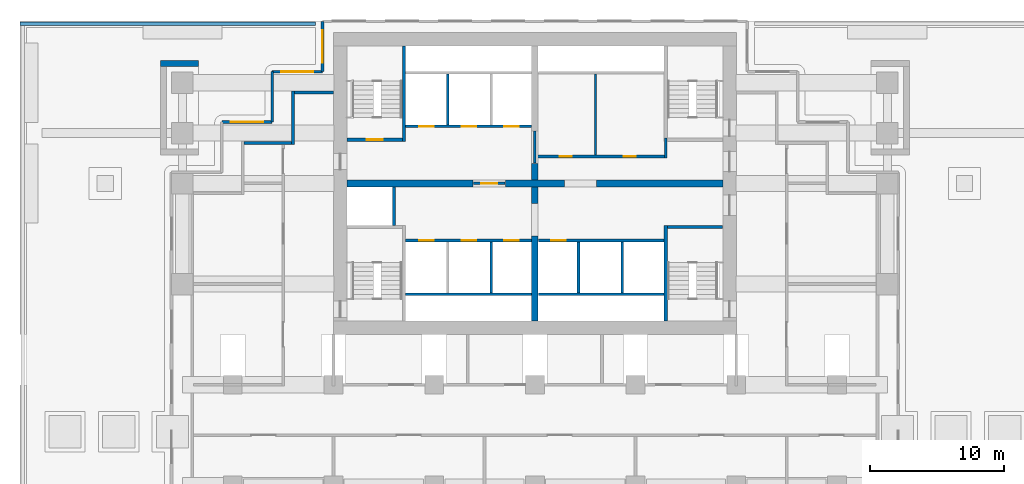
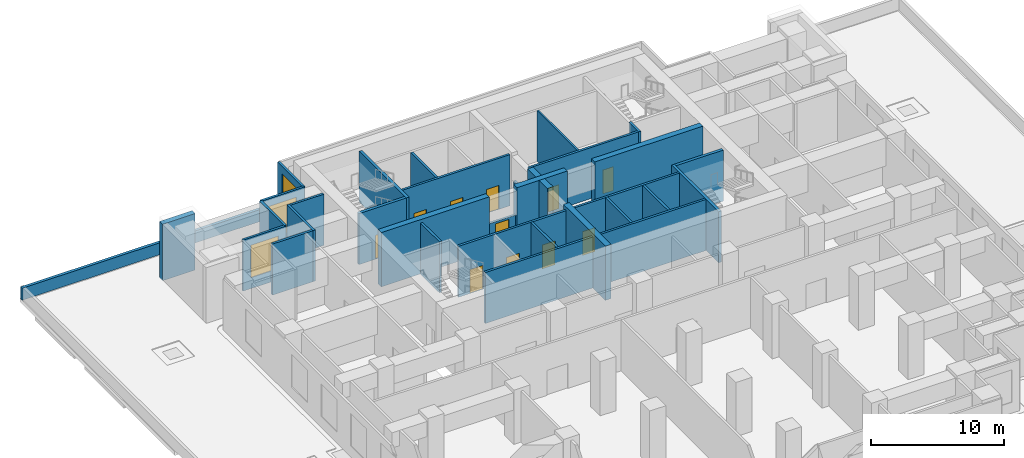
# One storey, part 4 of 9: 34 walls, 11 doors, 3 windows, 14 openings.
"""IFC4 building model written with IfcOpenShell, lengths in metres."""

import ifcopenshell
import ifcopenshell.guid

model = None  # the IFC model being written
_history = None  # IfcOwnerHistory: only IFC2X3 demands one
_inside = {}  # id of a spatial element -> (the spatial element, [elements in it])
_under = {}  # id of a project, library or spatial element -> (it, [spatial elements below it])
_declared = {}  # id of a project -> (the project, [libraries it declares])
_typed = {}  # id of a type object -> (the type object, [elements of that type])
_made_of = {}  # id of a material, layer set ... -> (it, [elements and type objects made of it])


def new_model(schema):
    """Start an empty IFC model of exactly this schema.

    Asked for "IFC4X3", IfcOpenShell would pick the latest addendum, in which some entities
    have other attributes; the version numbers below select the first issue.
    IFC2X3 requires an IfcOwnerHistory on every rooted entity: one is made here for all.
    """
    global model, _history
    if schema == "IFC4X3":
        model = ifcopenshell.file(schema_version=(4, 3, 0, 0))
    else:
        model = ifcopenshell.file(schema=schema)
    _inside.clear()
    _under.clear()
    _declared.clear()
    _typed.clear()
    _made_of.clear()
    _history = None
    if model.schema == "IFC2X3":
        org = make("IfcOrganization", Name="unknown")
        user = make(
            "IfcPersonAndOrganization",
            ThePerson=make("IfcPerson", FamilyName="unknown"),
            TheOrganization=org,
        )
        app = make(
            "IfcApplication",
            ApplicationDeveloper=org,
            Version="unknown",
            ApplicationFullName="unknown",
            ApplicationIdentifier="unknown",
        )
        _history = make(
            "IfcOwnerHistory",
            OwningUser=user,
            OwningApplication=app,
            ChangeAction="ADDED",
            CreationDate=0,
        )
    return model


def make(cls, **values):
    """One entity of the class cls with the attributes given. An attribute that is None is left unset."""
    return model.create_entity(
        cls, **{name: value for name, value in values.items() if value is not None}
    )


def rooted(cls, **values):
    """An entity with a GlobalId (a new one), such as an element, a storey or a relation."""
    return make(cls, GlobalId=ifcopenshell.guid.new(), OwnerHistory=_history, **values)


def si_unit(unit_type, name, prefix=None):
    """IfcSIUnit, for example si_unit("LENGTHUNIT", "METRE", prefix="MILLI")."""
    return make("IfcSIUnit", UnitType=unit_type, Prefix=prefix, Name=name)


def assignment(units):
    """IfcUnitAssignment: the units of a project."""
    return None if units is None else make("IfcUnitAssignment", Units=units)


def point(xyz):
    """IfcCartesianPoint."""
    return None if xyz is None else make("IfcCartesianPoint", Coordinates=xyz)


def direction(xyz):
    """IfcDirection."""
    return None if xyz is None else make("IfcDirection", DirectionRatios=xyz)


def frame(location, z_axis=None, x_axis=None):
    """IfcAxis2Placement3D, a coordinate frame: its origin and axes. An axis left out is left unset."""
    return make(
        "IfcAxis2Placement3D",
        Location=point(location),
        Axis=direction(z_axis),
        RefDirection=direction(x_axis),
    )


def frame_2d(location, x_axis=None):
    """IfcAxis2Placement2D, a coordinate frame in the plane: its origin and x axis."""
    return make(
        "IfcAxis2Placement2D", Location=point(location), RefDirection=direction(x_axis)
    )


def origin():
    """The frame at (0, 0, 0) with its axes left unset."""
    return frame((0.0, 0.0, 0.0))


def place(relative_to, where):
    """IfcLocalPlacement: puts the frame where relative to a parent placement (None: the world)."""
    return make(
        "IfcLocalPlacement", PlacementRelTo=relative_to, RelativePlacement=where
    )


def context(
    kind, dimensions, precision=None, world=None, true_north=None, identifier=None
):
    """IfcGeometricRepresentationContext, for example the 3D "Model" context."""
    return make(
        "IfcGeometricRepresentationContext",
        ContextIdentifier=identifier,
        ContextType=kind,
        CoordinateSpaceDimension=dimensions,
        Precision=precision,
        WorldCoordinateSystem=world,
        TrueNorth=true_north,
    )


def subcontext(parent, identifier, kind, view, scale=None):
    """IfcGeometricRepresentationSubContext, for example "Body" below "Model"."""
    return make(
        "IfcGeometricRepresentationSubContext",
        ContextIdentifier=identifier,
        ContextType=kind,
        ParentContext=parent,
        TargetScale=scale,
        TargetView=view,
    )


def project(units=None, contexts=None):
    """IfcProject with its units and contexts."""
    return rooted(
        "IfcProject",
        Name="project",
        RepresentationContexts=contexts,
        UnitsInContext=assignment(units),
    )


def spatial(cls, under=None, at=None, **own):
    """A site, building, storey or space (cls), placed at a placement, below another one or the project."""
    s = rooted(cls, ObjectPlacement=at, **own)
    if under is not None:
        _under.setdefault(under.id(), (under, []))[1].append(s)
    return s


def profile(cls, at=None, kind="AREA", **sizes):
    """A parametric profile (cls). Its sizes go by their IFC names, for example OverallWidth=200.0."""
    return make(cls, ProfileType=kind, Position=at, **sizes)


def rectangle(**sizes):
    """IfcRectangleProfileDef."""
    return profile("IfcRectangleProfileDef", **sizes)


def extrude(swept, where, along, depth):
    """IfcExtrudedAreaSolid: the profile swept, set in the frame where, extruded along a direction by depth."""
    return make(
        "IfcExtrudedAreaSolid",
        SweptArea=swept,
        Position=where,
        ExtrudedDirection=direction(along),
        Depth=depth,
    )


def shape(context_of_items, identifier, shape_type, items):
    """IfcShapeRepresentation: the items that make up one representation, for example the "Body"."""
    return make(
        "IfcShapeRepresentation",
        ContextOfItems=context_of_items,
        RepresentationIdentifier=identifier,
        RepresentationType=shape_type,
        Items=items,
    )


def material(Name=None, Category=None):
    """IfcMaterial."""
    return make("IfcMaterial", Name=Name, Category=Category)


def layer(
    of_material, thickness, ventilated=None, Name=None, Category=None, Priority=None
):
    """IfcMaterialLayer: one layer of a wall or slab, of a material (None: an air gap)."""
    return make(
        "IfcMaterialLayer",
        Material=of_material,
        LayerThickness=thickness,
        IsVentilated=ventilated,
        Name=Name,
        Category=Category,
        Priority=Priority,
    )


def layer_set(layers, Name=None):
    """IfcMaterialLayerSet."""
    return make("IfcMaterialLayerSet", MaterialLayers=layers, LayerSetName=Name)


def made_of(thing, what):
    """Note that an element or type object is made of a material, layer set ...; save() writes the relation."""
    if what is not None:
        _made_of.setdefault(what.id(), (what, []))[1].append(thing)
    return thing


def type_object(cls, material=None, **own):
    """A type object (cls), such as IfcWallType, which elements share."""
    return made_of(rooted(cls, **own), material)


def element(
    cls,
    number,
    at=None,
    inside=None,
    cuts=None,
    type_object=None,
    material=None,
    context=None,
    identifier="Body",
    shape_type=None,
    held_by="IfcProductDefinitionShape",
    body=None,
    shapes=None,
    **own,
):
    """One element of the class cls, such as IfcWall. Its Tag is "e" and its number.

    at: its placement. inside: the storey or other place that contains it. cuts: it is an
    opening in that element (IfcRelVoidsElement). A single representation is given by context,
    identifier, shape_type and body (its items); several are given by shapes. held_by: the class
    of the entity that holds the representations. save() writes the other relations.
    """
    e = rooted(cls, Tag="e%d" % number, ObjectPlacement=at, **own)
    if body is not None:
        shapes = [shape(context, identifier, shape_type, body)]
    if shapes is not None:
        e.Representation = make(held_by, Representations=shapes)
    if inside is not None:
        _inside.setdefault(inside.id(), (inside, []))[1].append(e)
    if cuts is not None:
        rooted(
            "IfcRelVoidsElement", RelatingBuildingElement=cuts, RelatedOpeningElement=e
        )
    if type_object is not None:
        _typed.setdefault(type_object.id(), (type_object, []))[1].append(e)
    return made_of(e, material)


def fill(opening, filler):
    """IfcRelFillsElement: the door or window that sits in an opening."""
    return rooted(
        "IfcRelFillsElement",
        RelatingOpeningElement=opening,
        RelatedBuildingElement=filler,
    )


def aggregate(whole, parts):
    """IfcRelAggregates: a whole, such as a stair, and the parts it consists of."""
    return rooted("IfcRelAggregates", RelatingObject=whole, RelatedObjects=parts)


def save(model, path):
    """Write the relations noted so far, then the file.

    IfcRelAggregates (storeys below a building ...), IfcRelContainedInSpatialStructure (elements
    in a storey), IfcRelDefinesByType, IfcRelAssociatesMaterial and IfcRelDeclares: one each for
    every whole, place, type object, material and project.
    """
    for whole, parts in _under.values():
        aggregate(whole, parts)
    for where, things in _inside.values():
        rooted(
            "IfcRelContainedInSpatialStructure",
            RelatedElements=things,
            RelatingStructure=where,
        )
    for kind, things in _typed.values():
        rooted("IfcRelDefinesByType", RelatedObjects=things, RelatingType=kind)
    for what, things in _made_of.values():
        rooted("IfcRelAssociatesMaterial", RelatedObjects=things, RelatingMaterial=what)
    for by, libraries in _declared.values():
        rooted("IfcRelDeclares", RelatingContext=by, RelatedDefinitions=libraries)
    model.write(path)


model = new_model("IFC4")

# Units and contexts
model_context = context("Model", 3, precision=1e-05, world=origin(), true_north=direction((0.0, 1.0)))
body_context = subcontext(model_context, "Body", "Model", "MODEL_VIEW")
ifc_project = project(units=[si_unit("LENGTHUNIT", "METRE"), si_unit("AREAUNIT", "SQUARE_METRE"), si_unit("VOLUMEUNIT", "CUBIC_METRE"), si_unit("PLANEANGLEUNIT", "RADIAN"), si_unit("MASSUNIT", "GRAM", prefix="KILO")], contexts=[model_context])

# Site, building, storey
site_placement = place(None, origin())
site = spatial("IfcSite", under=ifc_project, at=site_placement, CompositionType="ELEMENT")
building_placement = place(site_placement, origin())
building = spatial("IfcBuilding", under=site, at=building_placement, Name="Pilkhan Gate Tower", CompositionType="ELEMENT")
storey_placement = place(building_placement, frame((0.0, 0.0, 30.0)))
storey = spatial("IfcBuildingStorey", under=building, at=storey_placement, Name="L04", CompositionType="ELEMENT", Elevation=30.0)

# Wall, opening, door
ifc_material_1 = material(Name="Dense blockwork", Category="masonry")
ifc_layer_1 = layer(ifc_material_1, 0.199951171875)
ifc_layer_set_1 = layer_set([ifc_layer_1], Name="Lobby wall LW200")
wall_type_1 = type_object("IfcWallType", Name="Lobby wall LW200", PredefinedType="PARTITIONING", material=ifc_layer_set_1)
wall_1_placement = place(storey_placement, frame((70.409912109375, 82.5, 0.0), z_axis=(0.0, 0.0, 1.0), x_axis=(1.0, 0.0, 0.0)))
wall_1 = element("IfcWall", 1, at=wall_1_placement, inside=storey, type_object=wall_type_1, Name="Partition L04", PredefinedType="PARTITIONING", context=body_context, shape_type="SweptSolid", body=[
    extrude(rectangle(XDim=2.380126953125, YDim=0.199951171875, at=frame_2d((1.18994140625, 0.0))), origin(), (0.0, 0.0, 1.0), 2.39990234375),
])
opening_1_placement = place(wall_1_placement, frame((0.60009765625, 0.0, 0.0)))
opening_1 = element("IfcOpeningElement", 2, at=opening_1_placement, cuts=wall_1, Name="Opening L04-01", PredefinedType="OPENING", context=body_context, shape_type="SweptSolid", body=[
    extrude(rectangle(XDim=1.199951171875, YDim=2.199951171875, at=frame_2d((0.60009765625, 1.10009765625))), frame((0.0, 0.10986328125, 0.0), z_axis=(0.0, -1.0, 0.0), x_axis=(1.0, 0.0, 0.0)), (0.0, 0.0, 1.0), 0.219970703125),
])
ifc_material_2 = material(Name="Steel door, 120 minute fire resisting, self-closing", Category="steel")
door_type_1 = type_object("IfcDoorType", Name="Firefighting lobby door D10 1200x2200", OperationType="SINGLE_SWING_LEFT", PredefinedType="DOOR", material=ifc_material_2)
door_1_placement = place(opening_1_placement, origin())
door_1 = element("IfcDoor", 3, at=door_1_placement, inside=storey, type_object=door_type_1, Name="Firefighting lobby door", OperationType="SINGLE_SWING_RIGHT", OverallHeight=2.199951171875, OverallWidth=1.199951171875, PredefinedType="DOOR", context=body_context, shape_type="SweptSolid", body=[
    extrude(rectangle(XDim=1.199951171875, YDim=2.199951171875, at=frame_2d((0.60009765625, 1.10009765625))), frame((0.0, 0.02490234375, 0.0), z_axis=(0.0, -1.0, 0.0), x_axis=(1.0, 0.0, 0.0)), (0.0, 0.0, 1.0), 0.050048828125),
])
fill(opening_1, door_1)

# Wall, openings, doors
wall_2_placement = place(storey_placement, frame((75.10009765625, 84.5, 0.0), z_axis=(0.0, 0.0, 1.0), x_axis=(1.0, 0.0, 0.0)))
wall_2 = element("IfcWall", 4, at=wall_2_placement, inside=storey, type_object=wall_type_1, Name="Partition L04", PredefinedType="PARTITIONING", context=body_context, shape_type="SweptSolid", body=[
    extrude(rectangle(XDim=9.5498046875, YDim=0.199951171875, at=frame_2d((4.77490234375, 0.0))), origin(), (0.0, 0.0, 1.0), 4.699951171875),
])
opening_2_placement = place(wall_2_placement, frame((1.75, 0.0, 0.0)))
opening_2 = element("IfcOpeningElement", 5, at=opening_2_placement, cuts=wall_2, Name="Opening L04-12", PredefinedType="OPENING", context=body_context, shape_type="SweptSolid", body=[
    extrude(rectangle(XDim=0.89990234375, YDim=2.199951171875, at=frame_2d((0.449951171875, 1.10009765625))), frame((0.0, 0.10986328125, 0.0), z_axis=(0.0, -1.0, 0.0), x_axis=(1.0, 0.0, 0.0)), (0.0, 0.0, 1.0), 0.219970703125),
])
opening_3_placement = place(wall_2_placement, frame((6.5, 0.0, 0.0)))
opening_3 = element("IfcOpeningElement", 6, at=opening_3_placement, cuts=wall_2, Name="Opening L04-13", PredefinedType="OPENING", context=body_context, shape_type="SweptSolid", body=[
    extrude(rectangle(XDim=0.89990234375, YDim=2.199951171875, at=frame_2d((0.449951171875, 1.10009765625))), frame((0.0, 0.10986328125, 0.0), z_axis=(0.0, -1.0, 0.0), x_axis=(1.0, 0.0, 0.0)), (0.0, 0.0, 1.0), 0.219970703125),
])
ifc_material_3 = material(Name="Timber flush door, 60 minute fire resisting, self-closing", Category="wood")
door_type_2 = type_object("IfcDoorType", Name="Store door D05 900x2200", OperationType="SINGLE_SWING_LEFT", PredefinedType="DOOR", material=ifc_material_3)
door_2_placement = place(opening_2_placement, origin())
door_2 = element("IfcDoor", 7, at=door_2_placement, inside=storey, type_object=door_type_2, Name="Store door", OperationType="SINGLE_SWING_LEFT", OverallHeight=2.199951171875, OverallWidth=0.89990234375, PredefinedType="DOOR", context=body_context, shape_type="SweptSolid", body=[
    extrude(rectangle(XDim=0.89990234375, YDim=2.199951171875, at=frame_2d((0.449951171875, 1.10009765625))), frame((0.0, 0.02490234375, 0.0), z_axis=(0.0, -1.0, 0.0), x_axis=(1.0, 0.0, 0.0)), (0.0, 0.0, 1.0), 0.050048828125),
])
fill(opening_2, door_2)
door_3_placement = place(opening_3_placement, origin())
door_3 = element("IfcDoor", 8, at=door_3_placement, inside=storey, type_object=door_type_2, Name="Store door", OperationType="SINGLE_SWING_LEFT", OverallHeight=2.199951171875, OverallWidth=0.89990234375, PredefinedType="DOOR", context=body_context, shape_type="SweptSolid", body=[
    extrude(rectangle(XDim=0.89990234375, YDim=2.199951171875, at=frame_2d((0.449951171875, 1.10009765625))), frame((0.0, 0.02490234375, 0.0), z_axis=(0.0, -1.0, 0.0), x_axis=(1.0, 0.0, 0.0)), (0.0, 0.0, 1.0), 0.050048828125),
])
fill(opening_3, door_3)

# Walls
wall_3_placement = place(storey_placement, frame((53.3349609375, 85.514892578125, 0.0), z_axis=(0.0, 0.0, 1.0), x_axis=(1.0, 0.0, 0.0)))
element("IfcWall", 9, at=wall_3_placement, inside=storey, type_object=wall_type_1, Name="Partition L04", PredefinedType="PARTITIONING", context=body_context, shape_type="SweptSolid", body=[
    extrude(rectangle(XDim=3.550048828125, YDim=0.199951171875, at=frame_2d((1.77490234375, 0.0))), origin(), (0.0, 0.0, 1.0), 4.699951171875),
])
wall_4_placement = place(storey_placement, frame((57.0849609375, 89.264892578125, 0.0), z_axis=(0.0, 0.0, 1.0), x_axis=(1.0, 0.0, 0.0)))
element("IfcWall", 10, at=wall_4_placement, inside=storey, type_object=wall_type_1, Name="Partition L04", PredefinedType="PARTITIONING", context=body_context, shape_type="SweptSolid", body=[
    extrude(rectangle(XDim=2.905029296875, YDim=0.199951171875, at=frame_2d((1.45263671875, 0.0))), origin(), (0.0, 0.0, 1.0), 4.699951171875),
])
wall_5_placement = place(storey_placement, frame((56.985107421875, 85.4150390625, 0.0), z_axis=(0.0, 0.0, 1.0), x_axis=(0.0, 1.0, 0.0)))
element("IfcWall", 11, at=wall_5_placement, inside=storey, type_object=wall_type_1, Name="Partition L04", PredefinedType="PARTITIONING", context=body_context, shape_type="SweptSolid", body=[
    extrude(rectangle(XDim=3.949951171875, YDim=0.199951171875, at=frame_2d((1.97509765625, 0.0))), origin(), (0.0, 0.0, 1.0), 4.699951171875),
])
wall_6_placement = place(storey_placement, frame((75.0, 84.010009765625, 0.0), z_axis=(0.0, 0.0, 1.0), x_axis=(0.0, 1.0, 0.0)))
element("IfcWall", 12, at=wall_6_placement, inside=storey, type_object=wall_type_1, Name="Partition L04", PredefinedType="PARTITIONING", context=body_context, shape_type="SweptSolid", body=[
    extrude(rectangle(XDim=2.3798828125, YDim=0.199951171875, at=frame_2d((1.18994140625, 0.0))), origin(), (0.0, 0.0, 1.0), 2.39990234375),
])
wall_7_placement = place(storey_placement, frame((84.75, 84.39990234375, 0.0), z_axis=(0.0, 0.0, 1.0), x_axis=(0.0, 1.0, 0.0)))
element("IfcWall", 13, at=wall_7_placement, inside=storey, type_object=wall_type_1, Name="Partition L04", PredefinedType="PARTITIONING", context=body_context, shape_type="SweptSolid", body=[
    extrude(rectangle(XDim=1.47509765625, YDim=0.199951171875, at=frame_2d((0.737548828125, 0.0))), origin(), (0.0, 0.0, 1.0), 4.699951171875),
])
ifc_material_4 = material(Name="Concrete C40/50", Category="concrete")
ifc_layer_2 = layer(ifc_material_4, 0.25)
ifc_layer_set_2 = layer_set([ifc_layer_2], Name="Parapet wall PA250")
wall_type_2 = type_object("IfcWallType", Name="Parapet wall PA250", PredefinedType="USERDEFINED", material=ifc_layer_set_2)
wall_8_placement = place(storey_placement, frame((36.64990234375, 94.39990234375, 0.0), z_axis=(0.0, 0.0, 1.0), x_axis=(1.0, 0.0, 0.0)))
element("IfcWall", 14, at=wall_8_placement, inside=storey, type_object=wall_type_2, Name="Podium roof parapet", ObjectType="PARAPET WALL", PredefinedType="USERDEFINED", context=body_context, shape_type="SweptSolid", body=[
    extrude(rectangle(XDim=22.009033203125, YDim=0.25, at=frame_2d((11.00439453125, 0.0))), origin(), (0.0, 0.0, 1.0), 1.10009765625),
])
ifc_material_5 = material(Name="Blockwork partition, plastered both sides", Category="masonry")
ifc_layer_3 = layer(ifc_material_5, 0.14990234375)
ifc_layer_set_3 = layer_set([ifc_layer_3], Name="Partition PW150")
wall_type_3 = type_object("IfcWallType", Name="Partition PW150", PredefinedType="PARTITIONING", material=ifc_layer_set_3)
wall_9_placement = place(storey_placement, frame((79.5, 84.60009765625, 0.0), z_axis=(0.0, 0.0, 1.0), x_axis=(0.0, 1.0, 0.0)))
element("IfcWall", 15, at=wall_9_placement, inside=storey, type_object=wall_type_3, Name="Partition L04", PredefinedType="PARTITIONING", context=body_context, shape_type="SweptSolid", body=[
    extrude(rectangle(XDim=6.0498046875, YDim=0.14990234375, at=frame_2d((3.02490234375, 0.0))), origin(), (0.0, 0.0, 1.0), 4.699951171875),
])

# Wall, opening, window
ifc_material_6 = material(Name="Pale anodised aluminium cladding", Category="aluminium")
ifc_layer_4 = layer(ifc_material_6, 0.199951171875)
ifc_layer_set_4 = layer_set([ifc_layer_4], Name="Plant screen wall PS200")
wall_type_4 = type_object("IfcWallType", Name="Plant screen wall PS200", PredefinedType="SOLIDWALL", material=ifc_layer_set_4)
wall_10_placement = place(storey_placement, frame((59.179931640625, 90.820068359375, 0.0), z_axis=(0.0, 0.0, 1.0), x_axis=(0.0, 1.0, 0.0)))
wall_10 = element("IfcWall", 16, at=wall_10_placement, inside=storey, type_object=wall_type_4, Name="Plant screen wall L04 W", PredefinedType="SOLIDWALL", context=body_context, shape_type="SweptSolid", body=[
    extrude(rectangle(XDim=3.75, YDim=0.199951171875, at=frame_2d((1.875, 0.0))), origin(), (0.0, 0.0, 1.0), 4.699951171875),
])
opening_4_placement = place(wall_10_placement, frame((0.675048828125, 0.0, 1.0)))
opening_4 = element("IfcOpeningElement", 17, at=opening_4_placement, cuts=wall_10, Name="Opening WL1", PredefinedType="OPENING", context=body_context, shape_type="SweptSolid", body=[
    extrude(rectangle(XDim=2.39990234375, YDim=3.0, at=frame_2d((1.199951171875, 1.5))), frame((0.0, 0.10986328125, 0.0), z_axis=(0.0, -1.0, 0.0), x_axis=(1.0, 0.0, 0.0)), (0.0, 0.0, 1.0), 0.219970703125),
])
ifc_material_7 = material(Name="Pale anodised aluminium storm louvre, bird mesh", Category="aluminium")
window_type = type_object("IfcWindowType", Name="Plant louvre WL1 2400x3000", PartitioningType="SINGLE_PANEL", PredefinedType="USERDEFINED", material=ifc_material_7)
window_1_placement = place(opening_4_placement, origin())
window_1 = element("IfcWindow", 18, at=window_1_placement, inside=storey, type_object=window_type, Name="Louvre L04", ObjectType="LOUVRE", OverallHeight=3.0, OverallWidth=2.39990234375, PartitioningType="SINGLE_PANEL", PredefinedType="USERDEFINED", context=body_context, shape_type="SweptSolid", body=[
    extrude(rectangle(XDim=2.39990234375, YDim=3.0, at=frame_2d((1.199951171875, 1.5))), frame((0.0, 0.030029296875, 0.0), z_axis=(0.0, -1.0, 0.0), x_axis=(1.0, 0.0, 0.0)), (0.0, 0.0, 1.0), 0.06005859375),
])
fill(opening_4, window_1)

wall_11_placement = place(storey_placement, frame((55.429931640625, 90.820068359375, 0.0), z_axis=(0.0, 0.0, 1.0), x_axis=(1.0, 0.0, 0.0)))
wall_11 = element("IfcWall", 19, at=wall_11_placement, inside=storey, type_object=wall_type_4, Name="Plant screen wall L04 N", PredefinedType="SOLIDWALL", context=body_context, shape_type="SweptSolid", body=[
    extrude(rectangle(XDim=3.75, YDim=0.199951171875, at=frame_2d((1.875, 0.0))), origin(), (0.0, 0.0, 1.0), 4.699951171875),
])
opening_5_placement = place(wall_11_placement, frame((0.675048828125, 0.0, 1.0)))
opening_5 = element("IfcOpeningElement", 20, at=opening_5_placement, cuts=wall_11, Name="Opening WL1", PredefinedType="OPENING", context=body_context, shape_type="SweptSolid", body=[
    extrude(rectangle(XDim=2.39990234375, YDim=3.0, at=frame_2d((1.199951171875, 1.5))), frame((0.0, 0.10986328125, 0.0), z_axis=(0.0, -1.0, 0.0), x_axis=(1.0, 0.0, 0.0)), (0.0, 0.0, 1.0), 0.219970703125),
])
window_2_placement = place(opening_5_placement, origin())
window_2 = element("IfcWindow", 21, at=window_2_placement, inside=storey, type_object=window_type, Name="Louvre L04", ObjectType="LOUVRE", OverallHeight=3.0, OverallWidth=2.39990234375, PartitioningType="SINGLE_PANEL", PredefinedType="USERDEFINED", context=body_context, shape_type="SweptSolid", body=[
    extrude(rectangle(XDim=2.39990234375, YDim=3.0, at=frame_2d((1.199951171875, 1.5))), frame((0.0, 0.030029296875, 0.0), z_axis=(0.0, -1.0, 0.0), x_axis=(1.0, 0.0, 0.0)), (0.0, 0.0, 1.0), 0.06005859375),
])
fill(opening_5, window_2)

# Wall
wall_12_placement = place(storey_placement, frame((55.429931640625, 87.070068359375, 0.0), z_axis=(0.0, 0.0, 1.0), x_axis=(0.0, 1.0, 0.0)))
element("IfcWall", 22, at=wall_12_placement, inside=storey, type_object=wall_type_4, Name="Plant screen wall L04 W", PredefinedType="SOLIDWALL", context=body_context, shape_type="SweptSolid", body=[
    extrude(rectangle(XDim=3.75, YDim=0.199951171875, at=frame_2d((1.875, 0.0))), origin(), (0.0, 0.0, 1.0), 4.699951171875),
])

# Wall, opening, window
wall_13_placement = place(storey_placement, frame((51.679931640625, 87.070068359375, 0.0), z_axis=(0.0, 0.0, 1.0), x_axis=(1.0, 0.0, 0.0)))
wall_13 = element("IfcWall", 23, at=wall_13_placement, inside=storey, type_object=wall_type_4, Name="Plant screen wall L04 N", PredefinedType="SOLIDWALL", context=body_context, shape_type="SweptSolid", body=[
    extrude(rectangle(XDim=3.75, YDim=0.199951171875, at=frame_2d((1.875, 0.0))), origin(), (0.0, 0.0, 1.0), 4.699951171875),
])
opening_6_placement = place(wall_13_placement, frame((0.675048828125, 0.0, 1.0)))
opening_6 = element("IfcOpeningElement", 24, at=opening_6_placement, cuts=wall_13, Name="Opening WL1", PredefinedType="OPENING", context=body_context, shape_type="SweptSolid", body=[
    extrude(rectangle(XDim=2.39990234375, YDim=3.0, at=frame_2d((1.199951171875, 1.5))), frame((0.0, 0.10986328125, 0.0), z_axis=(0.0, -1.0, 0.0), x_axis=(1.0, 0.0, 0.0)), (0.0, 0.0, 1.0), 0.219970703125),
])
window_3_placement = place(opening_6_placement, origin())
window_3 = element("IfcWindow", 25, at=window_3_placement, inside=storey, type_object=window_type, Name="Louvre L04", ObjectType="LOUVRE", OverallHeight=3.0, OverallWidth=2.39990234375, PartitioningType="SINGLE_PANEL", PredefinedType="USERDEFINED", context=body_context, shape_type="SweptSolid", body=[
    extrude(rectangle(XDim=2.39990234375, YDim=3.0, at=frame_2d((1.199951171875, 1.5))), frame((0.0, 0.030029296875, 0.0), z_axis=(0.0, -1.0, 0.0), x_axis=(1.0, 0.0, 0.0)), (0.0, 0.0, 1.0), 0.06005859375),
])
fill(opening_6, window_3)

# Walls
ifc_material_8 = material(Name="Board-marked Concrete C40/50", Category="concrete")
ifc_layer_5 = layer(ifc_material_8, 0.449951171875)
ifc_layer_set_5 = layer_set([ifc_layer_5], Name="Roof edge screen wall SW450")
wall_type_5 = type_object("IfcWallType", Name="Roof edge screen wall SW450", PredefinedType="USERDEFINED", material=ifc_layer_set_5)
wall_14_placement = place(storey_placement, frame((47.10009765625, 91.425048828125, 0.0), z_axis=(0.0, 0.0, 1.0), x_axis=(1.0, 0.0, 0.0)))
element("IfcWall", 26, at=wall_14_placement, inside=storey, type_object=wall_type_5, Name="Roof pylon wall west wing", ObjectType="ROOF SCREEN WALL", PredefinedType="USERDEFINED", context=body_context, shape_type="SweptSolid", body=[
    extrude(rectangle(XDim=2.849853515625, YDim=0.449951171875, at=frame_2d((1.4248046875, 0.0))), origin(), (0.0, 0.0, 1.0), 5.199951171875),
])
ifc_material_9 = material(Name="Reinforced blockwork shaft wall, 120 minute fire resisting", Category="masonry")
ifc_layer_6 = layer(ifc_material_9, 0.199951171875)
ifc_layer_set_6 = layer_set([ifc_layer_6], Name="Shaft wall SW200")
wall_type_6 = type_object("IfcWallType", Name="Shaft wall SW200", PredefinedType="PARTITIONING", material=ifc_layer_set_6)
for number, where, z_axis, x_axis, name in (
    (27, (65.375, 74.25, 0.0), (0.0, 0.0, 1.0), (1.0, 0.0, 0.0), "Partition L04"),
    (28, (75.260009765625, 74.25, 0.0), (0.0, 0.0, 1.0), (1.0, 0.0, 0.0), "Partition L04"),
):
    element("IfcWall", number, at=place(storey_placement, frame(where, z_axis=z_axis, x_axis=x_axis)), inside=storey, type_object=wall_type_6, Name=name, PredefinedType="PARTITIONING", context=body_context, shape_type="SweptSolid", body=[
        extrude(rectangle(XDim=9.364990234375, YDim=0.199951171875, at=frame_2d((4.6826171875, 0.0))), origin(), (0.0, 0.0, 1.0), 4.699951171875),
    ])

# Wall, openings, doors
wall_15_placement = place(storey_placement, frame((65.375, 78.25, 0.0), z_axis=(0.0, 0.0, 1.0), x_axis=(1.0, 0.0, 0.0)))
wall_15 = element("IfcWall", 29, at=wall_15_placement, inside=storey, type_object=wall_type_6, Name="Partition L04", PredefinedType="PARTITIONING", context=body_context, shape_type="SweptSolid", body=[
    extrude(rectangle(XDim=9.364990234375, YDim=0.199951171875, at=frame_2d((4.6826171875, 0.0))), origin(), (0.0, 0.0, 1.0), 4.699951171875),
])
opening_7_placement = place(wall_15_placement, frame((1.0, 0.0, 0.0)))
opening_7 = element("IfcOpeningElement", 30, at=opening_7_placement, cuts=wall_15, Name="Opening LD", PredefinedType="OPENING", context=body_context, shape_type="SweptSolid", body=[
    extrude(rectangle(XDim=1.10009765625, YDim=2.199951171875, at=frame_2d((0.550048828125, 1.10009765625))), frame((0.0, 0.10986328125, 0.0), z_axis=(0.0, -1.0, 0.0), x_axis=(1.0, 0.0, 0.0)), (0.0, 0.0, 1.0), 0.219970703125),
])
opening_8_placement = place(wall_15_placement, frame((4.175048828125, 0.0, 0.0)))
opening_8 = element("IfcOpeningElement", 31, at=opening_8_placement, cuts=wall_15, Name="Opening LD", PredefinedType="OPENING", context=body_context, shape_type="SweptSolid", body=[
    extrude(rectangle(XDim=1.10009765625, YDim=2.199951171875, at=frame_2d((0.550048828125, 1.10009765625))), frame((0.0, 0.10986328125, 0.0), z_axis=(0.0, -1.0, 0.0), x_axis=(1.0, 0.0, 0.0)), (0.0, 0.0, 1.0), 0.219970703125),
])
opening_9_placement = place(wall_15_placement, frame((7.324951171875, 0.0, 0.0)))
opening_9 = element("IfcOpeningElement", 32, at=opening_9_placement, cuts=wall_15, Name="Opening LD", PredefinedType="OPENING", context=body_context, shape_type="SweptSolid", body=[
    extrude(rectangle(XDim=1.10009765625, YDim=2.199951171875, at=frame_2d((0.550048828125, 1.10009765625))), frame((0.0, 0.10986328125, 0.0), z_axis=(0.0, -1.0, 0.0), x_axis=(1.0, 0.0, 0.0)), (0.0, 0.0, 1.0), 0.219970703125),
])
ifc_material_10 = material(Name="Stainless steel centre-opening landing door, 120 minute fire resisting", Category="steel")
door_type_3 = type_object("IfcDoorType", Name="Lift landing door LD 1100x2200", OperationType="DOUBLE_DOOR_SLIDING", PredefinedType="DOOR", material=ifc_material_10)
door_4_placement = place(opening_7_placement, origin())
door_4 = element("IfcDoor", 33, at=door_4_placement, inside=storey, type_object=door_type_3, Name="Landing door LR1", OperationType="DOUBLE_DOOR_SLIDING", OverallHeight=2.199951171875, OverallWidth=1.10009765625, PredefinedType="DOOR", context=body_context, shape_type="SweptSolid", body=[
    extrude(rectangle(XDim=1.10009765625, YDim=2.199951171875, at=frame_2d((0.550048828125, 1.10009765625))), frame((0.0, 0.02490234375, 0.0), z_axis=(0.0, -1.0, 0.0), x_axis=(1.0, 0.0, 0.0)), (0.0, 0.0, 1.0), 0.050048828125),
])
fill(opening_7, door_4)
door_5_placement = place(opening_8_placement, origin())
door_5 = element("IfcDoor", 34, at=door_5_placement, inside=storey, type_object=door_type_3, Name="Landing door LR2", OperationType="DOUBLE_DOOR_SLIDING", OverallHeight=2.199951171875, OverallWidth=1.10009765625, PredefinedType="DOOR", context=body_context, shape_type="SweptSolid", body=[
    extrude(rectangle(XDim=1.10009765625, YDim=2.199951171875, at=frame_2d((0.550048828125, 1.10009765625))), frame((0.0, 0.02490234375, 0.0), z_axis=(0.0, -1.0, 0.0), x_axis=(1.0, 0.0, 0.0)), (0.0, 0.0, 1.0), 0.050048828125),
])
fill(opening_8, door_5)
door_6_placement = place(opening_9_placement, origin())
door_6 = element("IfcDoor", 35, at=door_6_placement, inside=storey, type_object=door_type_3, Name="Landing door LR3", OperationType="DOUBLE_DOOR_SLIDING", OverallHeight=2.199951171875, OverallWidth=1.10009765625, PredefinedType="DOOR", context=body_context, shape_type="SweptSolid", body=[
    extrude(rectangle(XDim=1.10009765625, YDim=2.199951171875, at=frame_2d((0.550048828125, 1.10009765625))), frame((0.0, 0.02490234375, 0.0), z_axis=(0.0, -1.0, 0.0), x_axis=(1.0, 0.0, 0.0)), (0.0, 0.0, 1.0), 0.050048828125),
])
fill(opening_9, door_6)

# Wall, opening, door
wall_16_placement = place(storey_placement, frame((75.260009765625, 78.25, 0.0), z_axis=(0.0, 0.0, 1.0), x_axis=(1.0, 0.0, 0.0)))
wall_16 = element("IfcWall", 36, at=wall_16_placement, inside=storey, type_object=wall_type_6, Name="Partition L04", PredefinedType="PARTITIONING", context=body_context, shape_type="SweptSolid", body=[
    extrude(rectangle(XDim=9.364990234375, YDim=0.199951171875, at=frame_2d((4.6826171875, 0.0))), origin(), (0.0, 0.0, 1.0), 4.699951171875),
])
opening_10_placement = place(wall_16_placement, frame((0.949951171875, 0.0, 0.0)))
opening_10 = element("IfcOpeningElement", 37, at=opening_10_placement, cuts=wall_16, Name="Opening LD", PredefinedType="OPENING", context=body_context, shape_type="SweptSolid", body=[
    extrude(rectangle(XDim=1.10009765625, YDim=2.199951171875, at=frame_2d((0.550048828125, 1.10009765625))), frame((0.0, 0.10986328125, 0.0), z_axis=(0.0, -1.0, 0.0), x_axis=(1.0, 0.0, 0.0)), (0.0, 0.0, 1.0), 0.219970703125),
])
door_7_placement = place(opening_10_placement, origin())
door_7 = element("IfcDoor", 38, at=door_7_placement, inside=storey, type_object=door_type_3, Name="Landing door LR4", OperationType="DOUBLE_DOOR_SLIDING", OverallHeight=2.199951171875, OverallWidth=1.10009765625, PredefinedType="DOOR", context=body_context, shape_type="SweptSolid", body=[
    extrude(rectangle(XDim=1.10009765625, YDim=2.199951171875, at=frame_2d((0.550048828125, 1.10009765625))), frame((0.0, 0.02490234375, 0.0), z_axis=(0.0, -1.0, 0.0), x_axis=(1.0, 0.0, 0.0)), (0.0, 0.0, 1.0), 0.050048828125),
])
fill(opening_10, door_7)

# Wall, openings, doors
wall_17_placement = place(storey_placement, frame((65.375, 86.75, 0.0), z_axis=(0.0, 0.0, 1.0), x_axis=(1.0, 0.0, 0.0)))
wall_17 = element("IfcWall", 39, at=wall_17_placement, inside=storey, type_object=wall_type_6, Name="Partition L04", PredefinedType="PARTITIONING", context=body_context, shape_type="SweptSolid", body=[
    extrude(rectangle(XDim=9.364990234375, YDim=0.199951171875, at=frame_2d((4.6826171875, 0.0))), origin(), (0.0, 0.0, 1.0), 4.699951171875),
])
opening_11_placement = place(wall_17_placement, frame((1.0, 0.0, 0.0)))
opening_11 = element("IfcOpeningElement", 40, at=opening_11_placement, cuts=wall_17, Name="Opening LD", PredefinedType="OPENING", context=body_context, shape_type="SweptSolid", body=[
    extrude(rectangle(XDim=1.10009765625, YDim=2.199951171875, at=frame_2d((0.550048828125, 1.10009765625))), frame((0.0, 0.10986328125, 0.0), z_axis=(0.0, -1.0, 0.0), x_axis=(1.0, 0.0, 0.0)), (0.0, 0.0, 1.0), 0.219970703125),
])
opening_12_placement = place(wall_17_placement, frame((4.175048828125, 0.0, 0.0)))
opening_12 = element("IfcOpeningElement", 41, at=opening_12_placement, cuts=wall_17, Name="Opening LD", PredefinedType="OPENING", context=body_context, shape_type="SweptSolid", body=[
    extrude(rectangle(XDim=1.10009765625, YDim=2.199951171875, at=frame_2d((0.550048828125, 1.10009765625))), frame((0.0, 0.10986328125, 0.0), z_axis=(0.0, -1.0, 0.0), x_axis=(1.0, 0.0, 0.0)), (0.0, 0.0, 1.0), 0.219970703125),
])
opening_13_placement = place(wall_17_placement, frame((7.324951171875, 0.0, 0.0)))
opening_13 = element("IfcOpeningElement", 42, at=opening_13_placement, cuts=wall_17, Name="Opening LD", PredefinedType="OPENING", context=body_context, shape_type="SweptSolid", body=[
    extrude(rectangle(XDim=1.10009765625, YDim=2.199951171875, at=frame_2d((0.550048828125, 1.10009765625))), frame((0.0, 0.10986328125, 0.0), z_axis=(0.0, -1.0, 0.0), x_axis=(1.0, 0.0, 0.0)), (0.0, 0.0, 1.0), 0.219970703125),
])
door_8_placement = place(opening_11_placement, origin())
door_8 = element("IfcDoor", 43, at=door_8_placement, inside=storey, type_object=door_type_3, Name="Landing door FF1", OperationType="DOUBLE_DOOR_SLIDING", OverallHeight=2.199951171875, OverallWidth=1.10009765625, PredefinedType="DOOR", context=body_context, shape_type="SweptSolid", body=[
    extrude(rectangle(XDim=1.10009765625, YDim=2.199951171875, at=frame_2d((0.550048828125, 1.10009765625))), frame((0.0, 0.02490234375, 0.0), z_axis=(0.0, -1.0, 0.0), x_axis=(1.0, 0.0, 0.0)), (0.0, 0.0, 1.0), 0.050048828125),
])
fill(opening_11, door_8)
door_9_placement = place(opening_12_placement, origin())
door_9 = element("IfcDoor", 44, at=door_9_placement, inside=storey, type_object=door_type_3, Name="Landing door FF2", OperationType="DOUBLE_DOOR_SLIDING", OverallHeight=2.199951171875, OverallWidth=1.10009765625, PredefinedType="DOOR", context=body_context, shape_type="SweptSolid", body=[
    extrude(rectangle(XDim=1.10009765625, YDim=2.199951171875, at=frame_2d((0.550048828125, 1.10009765625))), frame((0.0, 0.02490234375, 0.0), z_axis=(0.0, -1.0, 0.0), x_axis=(1.0, 0.0, 0.0)), (0.0, 0.0, 1.0), 0.050048828125),
])
fill(opening_12, door_9)
door_10_placement = place(opening_13_placement, origin())
door_10 = element("IfcDoor", 45, at=door_10_placement, inside=storey, type_object=door_type_3, Name="Landing door SV1", OperationType="DOUBLE_DOOR_SLIDING", OverallHeight=2.199951171875, OverallWidth=1.10009765625, PredefinedType="DOOR", context=body_context, shape_type="SweptSolid", body=[
    extrude(rectangle(XDim=1.10009765625, YDim=2.199951171875, at=frame_2d((0.550048828125, 1.10009765625))), frame((0.0, 0.02490234375, 0.0), z_axis=(0.0, -1.0, 0.0), x_axis=(1.0, 0.0, 0.0)), (0.0, 0.0, 1.0), 0.050048828125),
])
fill(opening_13, door_10)

# Walls
wall_18_placement = place(storey_placement, frame((64.5, 79.375, 0.0), z_axis=(0.0, 0.0, 1.0), x_axis=(0.0, 1.0, 0.0)))
element("IfcWall", 46, at=wall_18_placement, inside=storey, type_object=wall_type_6, Name="Partition L04", PredefinedType="PARTITIONING", context=body_context, shape_type="SweptSolid", body=[
    extrude(rectangle(XDim=2.864990234375, YDim=0.199951171875, at=frame_2d((1.4326171875, 0.0))), origin(), (0.0, 0.0, 1.0), 4.699951171875),
])
for number, where, z_axis, x_axis, name in (
    (47, (68.5, 86.85009765625, 0.0), (0.0, 0.0, 1.0), (0.0, 1.0, 0.0), "Partition L04"),
    (48, (71.75, 74.35009765625, 0.0), (0.0, 0.0, 1.0), (0.0, 1.0, 0.0), "Partition L04"),
    (49, (78.25, 74.35009765625, 0.0), (0.0, 0.0, 1.0), (0.0, 1.0, 0.0), "Partition L04"),
    (50, (81.5, 74.35009765625, 0.0), (0.0, 0.0, 1.0), (0.0, 1.0, 0.0), "Partition L04"),
):
    element("IfcWall", number, at=place(storey_placement, frame(where, z_axis=z_axis, x_axis=x_axis)), inside=storey, type_object=wall_type_6, Name=name, PredefinedType="PARTITIONING", context=body_context, shape_type="SweptSolid", body=[
        extrude(rectangle(XDim=3.7998046875, YDim=0.199951171875, at=frame_2d((1.89990234375, 0.0))), origin(), (0.0, 0.0, 1.0), 4.699951171875),
    ])
ifc_material_11 = material(Name="Concrete C70/85", Category="concrete")
ifc_layer_7 = layer(ifc_material_11, 0.5)
ifc_layer_set_7 = layer_set([ifc_layer_7], Name="Spine wall SW500 C70/85")
wall_type_7 = type_object("IfcWallType", Name="Spine wall SW500 C70/85", PredefinedType="SHEAR", material=ifc_layer_set_7)
wall_19_placement = place(storey_placement, frame((61.0, 82.5, 0.0), z_axis=(0.0, 0.0, 1.0), x_axis=(1.0, 0.0, 0.0)))
element("IfcWall", 51, at=wall_19_placement, inside=storey, type_object=wall_type_7, Name="Spine wall SP-EW1 L04", PredefinedType="SHEAR", context=body_context, shape_type="SweptSolid", body=[
    extrude(rectangle(XDim=9.39990234375, YDim=0.5, at=frame_2d((4.699951171875, 0.0))), origin(), (0.0, 0.0, 1.0), 5.0),
])
wall_20_placement = place(storey_placement, frame((72.800048828125, 82.5, 0.0), z_axis=(0.0, 0.0, 1.0), x_axis=(1.0, 0.0, 0.0)))
element("IfcWall", 52, at=wall_20_placement, inside=storey, type_object=wall_type_7, Name="Spine wall SP-EW2 L04", PredefinedType="SHEAR", context=body_context, shape_type="SweptSolid", body=[
    extrude(rectangle(XDim=4.39990234375, YDim=0.5, at=frame_2d((2.199951171875, 0.0))), origin(), (0.0, 0.0, 1.0), 5.0),
])
wall_21_placement = place(storey_placement, frame((79.60009765625, 82.5, 0.0), z_axis=(0.0, 0.0, 1.0), x_axis=(1.0, 0.0, 0.0)))
element("IfcWall", 53, at=wall_21_placement, inside=storey, type_object=wall_type_7, Name="Spine wall SP-EW3 L04", PredefinedType="SHEAR", context=body_context, shape_type="SweptSolid", body=[
    extrude(rectangle(XDim=9.39990234375, YDim=0.5, at=frame_2d((4.699951171875, 0.0))), origin(), (0.0, 0.0, 1.0), 5.0),
])
wall_22_placement = place(storey_placement, frame((75.0, 72.25, 0.0), z_axis=(0.0, 0.0, 1.0), x_axis=(0.0, 1.0, 0.0)))
element("IfcWall", 54, at=wall_22_placement, inside=storey, type_object=wall_type_7, Name="Spine wall SP-NS-S1 L04", PredefinedType="SHEAR", context=body_context, shape_type="SweptSolid", body=[
    extrude(rectangle(XDim=6.35009765625, YDim=0.5, at=frame_2d((3.175048828125, 0.0))), origin(), (0.0, 0.0, 1.0), 5.0),
])
for number, where, z_axis, x_axis, name in (
    (55, (75.0, 81.0, 0.0), (0.0, 0.0, 1.0), (0.0, 1.0, 0.0), "Spine wall SP-NS-S2 L04"),
    (56, (75.0, 82.75, 0.0), (0.0, 0.0, 1.0), (0.0, 1.0, 0.0), "Spine wall SP-NS-N1 L04"),
):
    element("IfcWall", number, at=place(storey_placement, frame(where, z_axis=z_axis, x_axis=x_axis)), inside=storey, type_object=wall_type_7, Name=name, PredefinedType="SHEAR", context=body_context, shape_type="SweptSolid", body=[
        extrude(rectangle(XDim=1.25, YDim=0.5, at=frame_2d((0.625, 0.0))), origin(), (0.0, 0.0, 1.0), 5.0),
    ])
ifc_material_12 = material(Name="Reinforced blockwork, 120 minute fire resisting", Category="masonry")
ifc_layer_8 = layer(ifc_material_12, 0.25)
ifc_layer_set_8 = layer_set([ifc_layer_8], Name="Stair enclosure wall SE250")
wall_type_8 = type_object("IfcWallType", Name="Stair enclosure wall SE250", PredefinedType="PARTITIONING", material=ifc_layer_set_8)
wall_23_placement = place(storey_placement, frame((84.875, 79.25, 0.0), z_axis=(0.0, 0.0, 1.0), x_axis=(1.0, 0.0, 0.0)))
element("IfcWall", 57, at=wall_23_placement, inside=storey, type_object=wall_type_8, Name="Partition L04", PredefinedType="PARTITIONING", context=body_context, shape_type="SweptSolid", body=[
    extrude(rectangle(XDim=4.114990234375, YDim=0.25, at=frame_2d((2.0576171875, 0.0))), origin(), (0.0, 0.0, 1.0), 4.699951171875),
])

# Wall, opening, door
wall_24_placement = place(storey_placement, frame((61.010009765625, 85.75, 0.0), z_axis=(0.0, 0.0, 1.0), x_axis=(1.0, 0.0, 0.0)))
wall_24 = element("IfcWall", 58, at=wall_24_placement, inside=storey, type_object=wall_type_8, Name="Partition L04", PredefinedType="PARTITIONING", context=body_context, shape_type="SweptSolid", body=[
    extrude(rectangle(XDim=4.114990234375, YDim=0.25, at=frame_2d((2.0576171875, 0.0))), origin(), (0.0, 0.0, 1.0), 4.699951171875),
])
opening_14_placement = place(wall_24_placement, frame((1.449951171875, 0.0, 0.0)))
opening_14 = element("IfcOpeningElement", 59, at=opening_14_placement, cuts=wall_24, Name="Opening L04-02", PredefinedType="OPENING", context=body_context, shape_type="SweptSolid", body=[
    extrude(rectangle(XDim=1.199951171875, YDim=2.199951171875, at=frame_2d((0.60009765625, 1.10009765625))), frame((0.0, 0.135009765625, 0.0), z_axis=(0.0, -1.0, 0.0), x_axis=(1.0, 0.0, 0.0)), (0.0, 0.0, 1.0), 0.27001953125),
])
ifc_material_13 = material(Name="Steel door, 120 minute fire resisting, panic bar", Category="steel")
door_type_4 = type_object("IfcDoorType", Name="Stair door D11 1200x2200", OperationType="SINGLE_SWING_LEFT", PredefinedType="DOOR", material=ifc_material_13)
door_11_placement = place(opening_14_placement, origin())
door_11 = element("IfcDoor", 60, at=door_11_placement, inside=storey, type_object=door_type_4, Name="Stair ST3 lobby door", OperationType="SINGLE_SWING_RIGHT", OverallHeight=2.199951171875, OverallWidth=1.199951171875, PredefinedType="DOOR", context=body_context, shape_type="SweptSolid", body=[
    extrude(rectangle(XDim=1.199951171875, YDim=2.199951171875, at=frame_2d((0.60009765625, 1.10009765625))), frame((0.0, 0.02490234375, 0.0), z_axis=(0.0, -1.0, 0.0), x_axis=(1.0, 0.0, 0.0)), (0.0, 0.0, 1.0), 0.050048828125),
])
fill(opening_14, door_11)

# Walls
for number, where, z_axis, x_axis, name in (
    (61, (65.25, 85.625, 0.0), (0.0, 0.0, 1.0), (0.0, 1.0, 0.0), "Partition L04"),
    (62, (84.75, 72.260009765625, 0.0), (0.0, 0.0, 1.0), (0.0, 1.0, 0.0), "Partition L04"),
):
    element("IfcWall", number, at=place(storey_placement, frame(where, z_axis=z_axis, x_axis=x_axis)), inside=storey, type_object=wall_type_8, Name=name, PredefinedType="PARTITIONING", context=body_context, shape_type="SweptSolid", body=[
        extrude(rectangle(XDim=7.114990234375, YDim=0.25, at=frame_2d((3.5576171875, 0.0))), origin(), (0.0, 0.0, 1.0), 4.699951171875),
    ])

save(model, "model.ifc")
